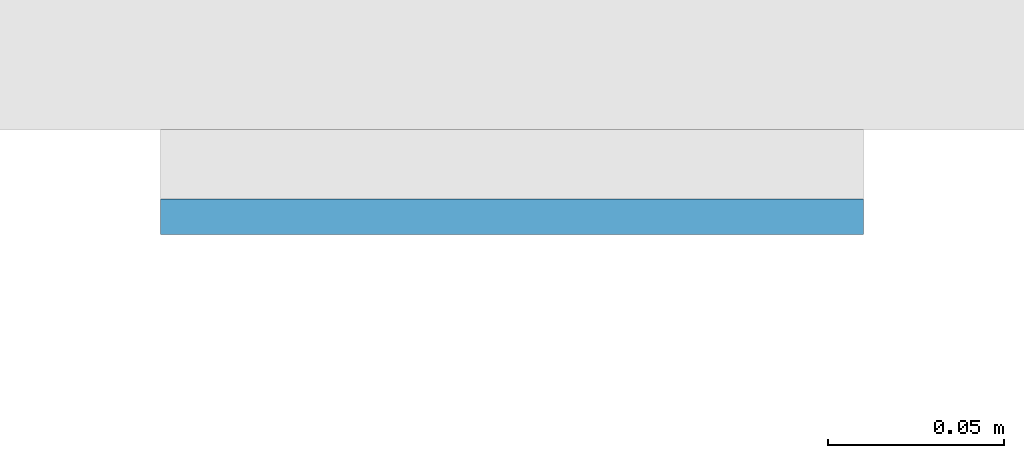
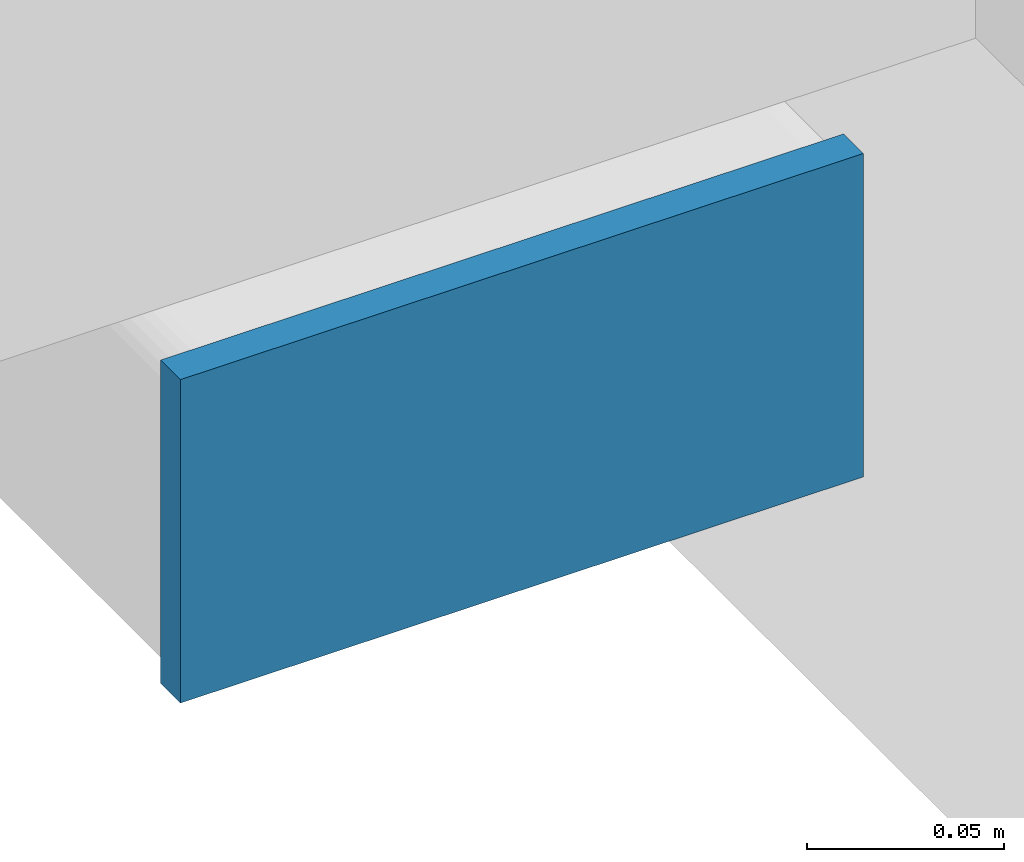
# One storey, part 8 of 21: 1 plate.
"""IFC4 building model written with IfcOpenShell, lengths in metres."""

from ifc_helpers import new_model, si_unit, direction, frame, origin, origin_2d, place, context, subcontext, project, spatial, rectangle, extrude, material, layer, layer_set, type_object, element, save


model = new_model("IFC4")

# Units and contexts
model_context = context("Model", 3, precision=1e-05, world=origin(), true_north=direction((0.0, 1.0)))
body_context = subcontext(model_context, "Body", "Model", "MODEL_VIEW")
ifc_project = project(units=[si_unit("LENGTHUNIT", "METRE"), si_unit("AREAUNIT", "SQUARE_METRE"), si_unit("VOLUMEUNIT", "CUBIC_METRE"), si_unit("PLANEANGLEUNIT", "RADIAN"), si_unit("MASSUNIT", "GRAM", prefix="KILO")], contexts=[model_context])

# Site, building, storey
site_placement = place(None, origin())
site = spatial("IfcSite", under=ifc_project, at=site_placement, CompositionType="ELEMENT")
building_placement = place(site_placement, origin())
building = spatial("IfcBuilding", under=site, at=building_placement, Name="Cleftline Residences", CompositionType="ELEMENT")
storey_placement = place(building_placement, frame((0.0, 0.0, 161.0)))
storey = spatial("IfcBuildingStorey", under=building, at=storey_placement, Name="L42", CompositionType="ELEMENT", Elevation=161.0)

# Plate
ifc_material = material(Name="Steel S355, hot-dip galvanised", Category="steel")
ifc_layer = layer(ifc_material, 0.010009765625)
ifc_layer_set = layer_set([ifc_layer], Name="BAGUETTE CARRIER END PLATE 200X100X10")
plate_type = type_object("IfcPlateType", Name="BAGUETTE CARRIER END PLATE 200X100X10", PredefinedType="USERDEFINED", material=ifc_layer_set)
plate_placement = place(storey_placement, frame((-0.85009765625, 3.695068359375, -0.10009765625), z_axis=(0.0, 0.0, 1.0), x_axis=(-1.0, 0.0, 0.0)))
element("IfcPlate", 1, at=plate_placement, inside=storey, type_object=plate_type, Name="Baguette carrier end plate", ObjectType="BAGUETTE CARRIER END PLATE", PredefinedType="USERDEFINED", context=body_context, shape_type="SweptSolid", body=[
    extrude(rectangle(XDim=0.199951171875, YDim=0.010009765625, at=origin_2d()), origin(), (0.0, 0.0, 1.0), 0.10009765625),
])

save(model, "model.ifc")
